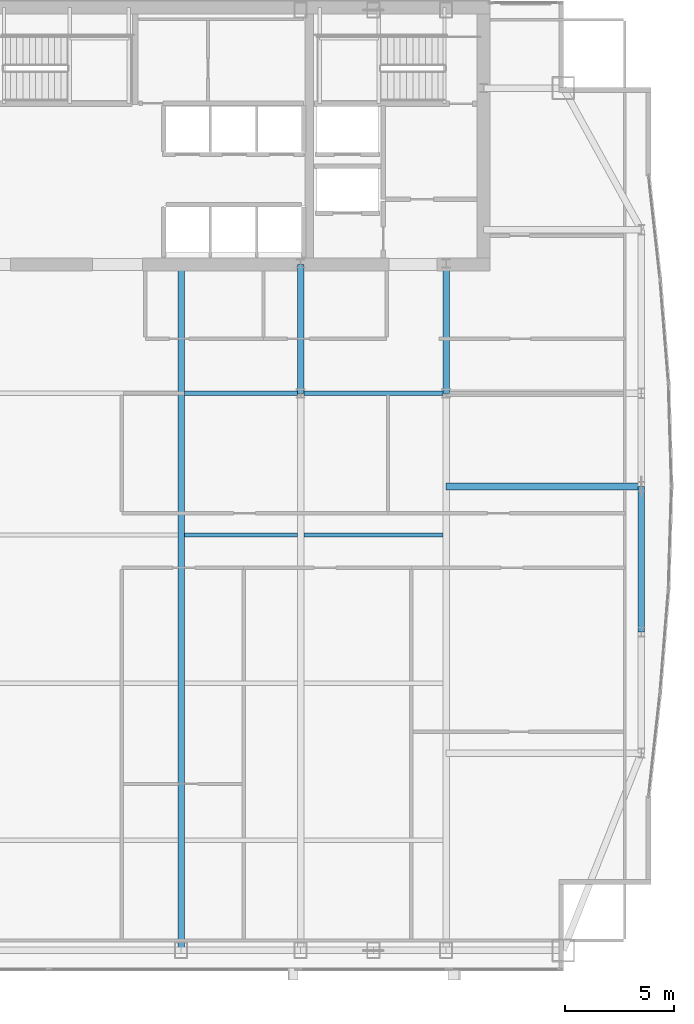
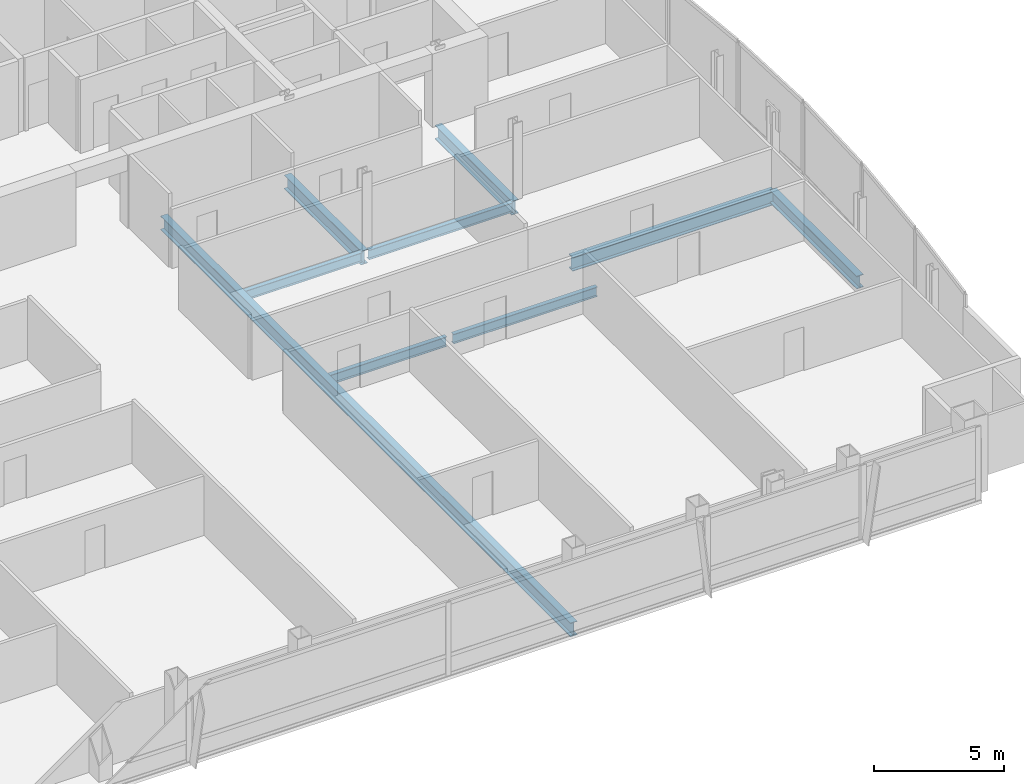
# One storey, part 17 of 29: 9 beams.
"""IFC4 building model written with IfcOpenShell, lengths in metres."""

from ifc_helpers import new_model, si_unit, direction, frame, origin, origin_2d, place, context, subcontext, project, spatial, i_section, extrude, material, material_profile, profile_set, type_object, element, save


model = new_model("IFC4")

# Units and contexts
model_context = context("Model", 3, precision=1e-05, world=origin(), true_north=direction((0.0, 1.0)))
body_context = subcontext(model_context, "Body", "Model", "MODEL_VIEW")
ifc_project = project(units=[si_unit("LENGTHUNIT", "METRE"), si_unit("AREAUNIT", "SQUARE_METRE"), si_unit("VOLUMEUNIT", "CUBIC_METRE"), si_unit("PLANEANGLEUNIT", "RADIAN"), si_unit("MASSUNIT", "GRAM", prefix="KILO")], contexts=[model_context])

# Site, building, storey
site_placement = place(None, origin())
site = spatial("IfcSite", under=ifc_project, at=site_placement, CompositionType="ELEMENT")
building_placement = place(site_placement, origin())
building = spatial("IfcBuilding", under=site, at=building_placement, Name="Khoronbel Lancet Exchange", CompositionType="ELEMENT")
storey_placement = place(building_placement, frame((0.0, 0.0, 246.199951171875)))
storey = spatial("IfcBuildingStorey", under=building, at=storey_placement, Name="L63", CompositionType="ELEMENT", Elevation=246.199951171875)

# Beams
ifc_material = material(Name="Steel S355", Category="steel")
ifc_material_profile_1 = material_profile(ifc_material, i_section(OverallWidth=0.300048828125, OverallDepth=0.64990234375, WebThickness=0.01611328125, FlangeThickness=0.031005859375, at=origin_2d()), Name="HEB 650")
ifc_profile_set_1 = profile_set([ifc_material_profile_1], Name="Steel S355")
beam_type_1 = type_object("IfcBeamType", Name="BM-BG4", PredefinedType="BEAM", material=ifc_profile_set_1)
beam_1_placement = place(storey_placement, frame((42.52490234375, 10.14990234375, -0.48486328125), z_axis=(0.0, 1.0, 0.0), x_axis=(-1.0, 0.0, 0.0)))
element("IfcBeam", 1, at=beam_1_placement, inside=storey, type_object=beam_type_1, Name="Level L63 primary floor girder G4", PredefinedType="BEAM", context=body_context, shape_type="SweptSolid", body=[
    extrude(i_section(OverallWidth=0.300048828125, OverallDepth=0.64990234375, WebThickness=0.01611328125, FlangeThickness=0.031005859375, at=origin_2d()), origin(), (0.0, 0.0, 1.0), 31.4501953125),
])
for number, where, z_axis, x_axis, name in (
    (2, (48.0, 35.699951171875, -0.48486328125), (0.0, 1.0, 0.0), (-1.0, 0.0, 0.0), "Level L63 spine tie girder GN5"),
    (3, (54.675048828125, 35.699951171875, -0.48486328125), (0.0, 1.0, 0.0), (-1.0, 0.0, 0.0), "Level L63 spine tie girder GN6"),
):
    element("IfcBeam", number, at=place(storey_placement, frame(where, z_axis=z_axis, x_axis=x_axis)), inside=storey, type_object=beam_type_1, Name=name, PredefinedType="BEAM", context=body_context, shape_type="SweptSolid", body=[
        extrude(i_section(OverallWidth=0.300048828125, OverallDepth=0.64990234375, WebThickness=0.01611328125, FlangeThickness=0.031005859375, at=origin_2d()), origin(), (0.0, 0.0, 1.0), 5.900146484375),
    ])
beam_2_placement = place(storey_placement, frame((54.675048828125, 31.425048828125, -0.48486328125), z_axis=(1.0, 0.0, 0.0), x_axis=(0.0, 1.0, 0.0)))
element("IfcBeam", 4, at=beam_2_placement, inside=storey, type_object=beam_type_1, Name="Level L63 east lens tie girder LG2E", PredefinedType="BEAM", context=body_context, shape_type="SweptSolid", body=[
    extrude(i_section(OverallWidth=0.300048828125, OverallDepth=0.64990234375, WebThickness=0.01611328125, FlangeThickness=0.031005859375, at=origin_2d()), origin(), (0.0, 0.0, 1.0), 8.954833984375),
])
ifc_material_profile_2 = material_profile(ifc_material, i_section(OverallWidth=0.18994140625, OverallDepth=0.449951171875, WebThickness=0.009521484375, FlangeThickness=0.0146484375, at=origin_2d()), Name="IPE 450")
ifc_profile_set_2 = profile_set([ifc_material_profile_2], Name="Steel S355")
beam_type_2 = type_object("IfcBeamType", Name="BM-BJ4", PredefinedType="JOIST", material=ifc_profile_set_2)
beam_3_placement = place(storey_placement, frame((42.675048828125, 29.199951171875, -0.385009765625), z_axis=(1.0, 0.0, 0.0), x_axis=(0.0, 1.0, 0.0)))
element("IfcBeam", 5, at=beam_3_placement, inside=storey, type_object=beam_type_2, Name="Level L63 secondary composite joist J14", PredefinedType="JOIST", context=body_context, shape_type="SweptSolid", body=[
    extrude(i_section(OverallWidth=0.18994140625, OverallDepth=0.449951171875, WebThickness=0.009521484375, FlangeThickness=0.0146484375, at=origin_2d()), origin(), (0.0, 0.0, 1.0), 5.175048828125),
])
beam_4_placement = place(storey_placement, frame((48.14990234375, 29.199951171875, -0.385009765625), z_axis=(1.0, 0.0, 0.0), x_axis=(0.0, 1.0, 0.0)))
element("IfcBeam", 6, at=beam_4_placement, inside=storey, type_object=beam_type_2, Name="Level L63 secondary composite joist J15", PredefinedType="JOIST", context=body_context, shape_type="SweptSolid", body=[
    extrude(i_section(OverallWidth=0.18994140625, OverallDepth=0.449951171875, WebThickness=0.009521484375, FlangeThickness=0.0146484375, at=origin_2d()), origin(), (0.0, 0.0, 1.0), 6.375),
])
beam_5_placement = place(storey_placement, frame((42.675048828125, 35.699951171875, -0.385009765625), z_axis=(1.0, 0.0, 0.0), x_axis=(0.0, 1.0, 0.0)))
element("IfcBeam", 7, at=beam_5_placement, inside=storey, type_object=beam_type_2, Name="Level L63 secondary composite joist J19", PredefinedType="JOIST", context=body_context, shape_type="SweptSolid", body=[
    extrude(i_section(OverallWidth=0.18994140625, OverallDepth=0.449951171875, WebThickness=0.009521484375, FlangeThickness=0.0146484375, at=origin_2d()), origin(), (0.0, 0.0, 1.0), 5.175048828125),
])
beam_6_placement = place(storey_placement, frame((48.14990234375, 35.699951171875, -0.385009765625), z_axis=(1.0, 0.0, 0.0), x_axis=(0.0, 1.0, 0.0)))
element("IfcBeam", 8, at=beam_6_placement, inside=storey, type_object=beam_type_2, Name="Level L63 secondary composite joist J20", PredefinedType="JOIST", context=body_context, shape_type="SweptSolid", body=[
    extrude(i_section(OverallWidth=0.18994140625, OverallDepth=0.449951171875, WebThickness=0.009521484375, FlangeThickness=0.0146484375, at=origin_2d()), origin(), (0.0, 0.0, 1.0), 6.375),
])
ifc_material_profile_3 = material_profile(ifc_material, i_section(OverallWidth=0.300048828125, OverallDepth=0.60009765625, WebThickness=0.015380859375, FlangeThickness=0.030029296875, at=origin_2d()), Name="HEB 600")
ifc_profile_set_3 = profile_set([ifc_material_profile_3], Name="Steel S355")
beam_type_3 = type_object("IfcBeamType", Name="BM-BSP2", PredefinedType="SPANDREL", material=ifc_profile_set_3)
beam_7_placement = place(storey_placement, frame((63.6298828125, 24.75, -0.4599609375), z_axis=(0.0, 1.0, 0.0), x_axis=(-1.0, 0.0, 0.0)))
element("IfcBeam", 9, at=beam_7_placement, inside=storey, type_object=beam_type_3, Name="Level L63 perimeter spandrel beam SP12", PredefinedType="SPANDREL", context=body_context, shape_type="SweptSolid", body=[
    extrude(i_section(OverallWidth=0.300048828125, OverallDepth=0.60009765625, WebThickness=0.015380859375, FlangeThickness=0.030029296875, at=origin_2d()), origin(), (0.0, 0.0, 1.0), 6.675048828125),
])

save(model, "model.ifc")
